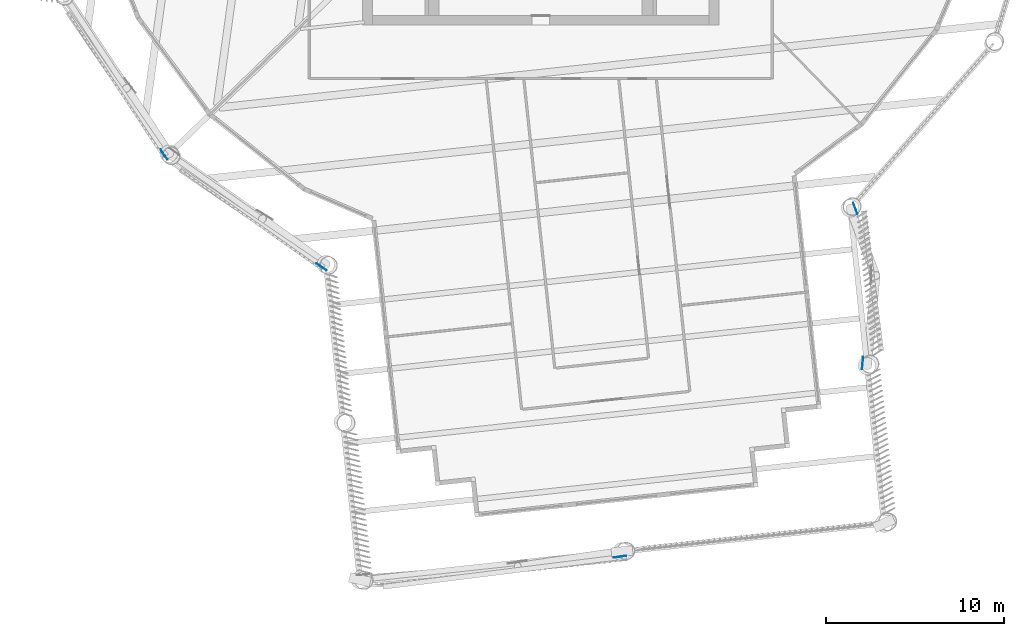
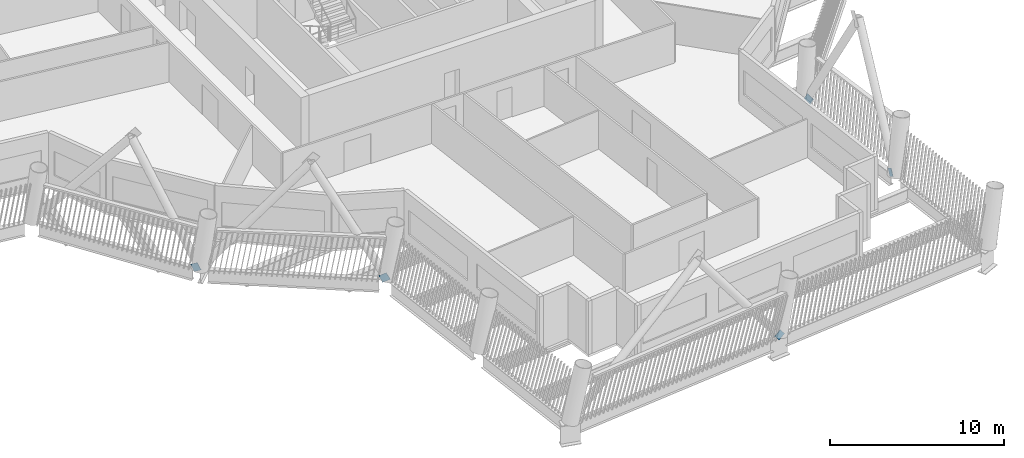
# One storey, part 11 of 21: 5 discrete accessories.
"""IFC4 building model written with IfcOpenShell, lengths in metres."""

import ifcopenshell
import ifcopenshell.guid

model = None  # the IFC model being written
_history = None  # IfcOwnerHistory: only IFC2X3 demands one
_inside = {}  # id of a spatial element -> (the spatial element, [elements in it])
_under = {}  # id of a project, library or spatial element -> (it, [spatial elements below it])
_declared = {}  # id of a project -> (the project, [libraries it declares])
_typed = {}  # id of a type object -> (the type object, [elements of that type])
_made_of = {}  # id of a material, layer set ... -> (it, [elements and type objects made of it])


def new_model(schema):
    """Start an empty IFC model of exactly this schema.

    Asked for "IFC4X3", IfcOpenShell would pick the latest addendum, in which some entities
    have other attributes; the version numbers below select the first issue.
    IFC2X3 requires an IfcOwnerHistory on every rooted entity: one is made here for all.
    """
    global model, _history
    if schema == "IFC4X3":
        model = ifcopenshell.file(schema_version=(4, 3, 0, 0))
    else:
        model = ifcopenshell.file(schema=schema)
    _inside.clear()
    _under.clear()
    _declared.clear()
    _typed.clear()
    _made_of.clear()
    _history = None
    if model.schema == "IFC2X3":
        org = make("IfcOrganization", Name="unknown")
        user = make(
            "IfcPersonAndOrganization",
            ThePerson=make("IfcPerson", FamilyName="unknown"),
            TheOrganization=org,
        )
        app = make(
            "IfcApplication",
            ApplicationDeveloper=org,
            Version="unknown",
            ApplicationFullName="unknown",
            ApplicationIdentifier="unknown",
        )
        _history = make(
            "IfcOwnerHistory",
            OwningUser=user,
            OwningApplication=app,
            ChangeAction="ADDED",
            CreationDate=0,
        )
    return model


def make(cls, **values):
    """One entity of the class cls with the attributes given. An attribute that is None is left unset."""
    return model.create_entity(
        cls, **{name: value for name, value in values.items() if value is not None}
    )


def rooted(cls, **values):
    """An entity with a GlobalId (a new one), such as an element, a storey or a relation."""
    return make(cls, GlobalId=ifcopenshell.guid.new(), OwnerHistory=_history, **values)


def si_unit(unit_type, name, prefix=None):
    """IfcSIUnit, for example si_unit("LENGTHUNIT", "METRE", prefix="MILLI")."""
    return make("IfcSIUnit", UnitType=unit_type, Prefix=prefix, Name=name)


def assignment(units):
    """IfcUnitAssignment: the units of a project."""
    return None if units is None else make("IfcUnitAssignment", Units=units)


def point(xyz):
    """IfcCartesianPoint."""
    return None if xyz is None else make("IfcCartesianPoint", Coordinates=xyz)


def direction(xyz):
    """IfcDirection."""
    return None if xyz is None else make("IfcDirection", DirectionRatios=xyz)


def frame(location, z_axis=None, x_axis=None):
    """IfcAxis2Placement3D, a coordinate frame: its origin and axes. An axis left out is left unset."""
    return make(
        "IfcAxis2Placement3D",
        Location=point(location),
        Axis=direction(z_axis),
        RefDirection=direction(x_axis),
    )


def frame_2d(location, x_axis=None):
    """IfcAxis2Placement2D, a coordinate frame in the plane: its origin and x axis."""
    return make(
        "IfcAxis2Placement2D", Location=point(location), RefDirection=direction(x_axis)
    )


def origin():
    """The frame at (0, 0, 0) with its axes left unset."""
    return frame((0.0, 0.0, 0.0))


def origin_2d():
    """The frame at (0, 0) in the plane with its x axis left unset."""
    return frame_2d((0.0, 0.0))


def place(relative_to, where):
    """IfcLocalPlacement: puts the frame where relative to a parent placement (None: the world)."""
    return make(
        "IfcLocalPlacement", PlacementRelTo=relative_to, RelativePlacement=where
    )


def context(
    kind, dimensions, precision=None, world=None, true_north=None, identifier=None
):
    """IfcGeometricRepresentationContext, for example the 3D "Model" context."""
    return make(
        "IfcGeometricRepresentationContext",
        ContextIdentifier=identifier,
        ContextType=kind,
        CoordinateSpaceDimension=dimensions,
        Precision=precision,
        WorldCoordinateSystem=world,
        TrueNorth=true_north,
    )


def subcontext(parent, identifier, kind, view, scale=None):
    """IfcGeometricRepresentationSubContext, for example "Body" below "Model"."""
    return make(
        "IfcGeometricRepresentationSubContext",
        ContextIdentifier=identifier,
        ContextType=kind,
        ParentContext=parent,
        TargetScale=scale,
        TargetView=view,
    )


def project(units=None, contexts=None):
    """IfcProject with its units and contexts."""
    return rooted(
        "IfcProject",
        Name="project",
        RepresentationContexts=contexts,
        UnitsInContext=assignment(units),
    )


def spatial(cls, under=None, at=None, **own):
    """A site, building, storey or space (cls), placed at a placement, below another one or the project."""
    s = rooted(cls, ObjectPlacement=at, **own)
    if under is not None:
        _under.setdefault(under.id(), (under, []))[1].append(s)
    return s


def profile(cls, at=None, kind="AREA", **sizes):
    """A parametric profile (cls). Its sizes go by their IFC names, for example OverallWidth=200.0."""
    return make(cls, ProfileType=kind, Position=at, **sizes)


def rectangle(**sizes):
    """IfcRectangleProfileDef."""
    return profile("IfcRectangleProfileDef", **sizes)


def extrude(swept, where, along, depth):
    """IfcExtrudedAreaSolid: the profile swept, set in the frame where, extruded along a direction by depth."""
    return make(
        "IfcExtrudedAreaSolid",
        SweptArea=swept,
        Position=where,
        ExtrudedDirection=direction(along),
        Depth=depth,
    )


def shape(context_of_items, identifier, shape_type, items):
    """IfcShapeRepresentation: the items that make up one representation, for example the "Body"."""
    return make(
        "IfcShapeRepresentation",
        ContextOfItems=context_of_items,
        RepresentationIdentifier=identifier,
        RepresentationType=shape_type,
        Items=items,
    )


def material(Name=None, Category=None):
    """IfcMaterial."""
    return make("IfcMaterial", Name=Name, Category=Category)


def material_profile(
    of_material, cross_section, Name=None, Category=None, Priority=None
):
    """IfcMaterialProfile: a cross section and its material."""
    return make(
        "IfcMaterialProfile",
        Name=Name,
        Material=of_material,
        Profile=cross_section,
        Priority=Priority,
        Category=Category,
    )


def profile_set(profiles, Name=None, composite=None):
    """IfcMaterialProfileSet."""
    return make(
        "IfcMaterialProfileSet",
        Name=Name,
        MaterialProfiles=profiles,
        CompositeProfile=composite,
    )


def made_of(thing, what):
    """Note that an element or type object is made of a material, layer set ...; save() writes the relation."""
    if what is not None:
        _made_of.setdefault(what.id(), (what, []))[1].append(thing)
    return thing


def type_object(cls, material=None, **own):
    """A type object (cls), such as IfcWallType, which elements share."""
    return made_of(rooted(cls, **own), material)


def element(
    cls,
    number,
    at=None,
    inside=None,
    cuts=None,
    type_object=None,
    material=None,
    context=None,
    identifier="Body",
    shape_type=None,
    held_by="IfcProductDefinitionShape",
    body=None,
    shapes=None,
    **own,
):
    """One element of the class cls, such as IfcWall. Its Tag is "e" and its number.

    at: its placement. inside: the storey or other place that contains it. cuts: it is an
    opening in that element (IfcRelVoidsElement). A single representation is given by context,
    identifier, shape_type and body (its items); several are given by shapes. held_by: the class
    of the entity that holds the representations. save() writes the other relations.
    """
    e = rooted(cls, Tag="e%d" % number, ObjectPlacement=at, **own)
    if body is not None:
        shapes = [shape(context, identifier, shape_type, body)]
    if shapes is not None:
        e.Representation = make(held_by, Representations=shapes)
    if inside is not None:
        _inside.setdefault(inside.id(), (inside, []))[1].append(e)
    if cuts is not None:
        rooted(
            "IfcRelVoidsElement", RelatingBuildingElement=cuts, RelatedOpeningElement=e
        )
    if type_object is not None:
        _typed.setdefault(type_object.id(), (type_object, []))[1].append(e)
    return made_of(e, material)


def aggregate(whole, parts):
    """IfcRelAggregates: a whole, such as a stair, and the parts it consists of."""
    return rooted("IfcRelAggregates", RelatingObject=whole, RelatedObjects=parts)


def save(model, path):
    """Write the relations noted so far, then the file.

    IfcRelAggregates (storeys below a building ...), IfcRelContainedInSpatialStructure (elements
    in a storey), IfcRelDefinesByType, IfcRelAssociatesMaterial and IfcRelDeclares: one each for
    every whole, place, type object, material and project.
    """
    for whole, parts in _under.values():
        aggregate(whole, parts)
    for where, things in _inside.values():
        rooted(
            "IfcRelContainedInSpatialStructure",
            RelatedElements=things,
            RelatingStructure=where,
        )
    for kind, things in _typed.values():
        rooted("IfcRelDefinesByType", RelatedObjects=things, RelatingType=kind)
    for what, things in _made_of.values():
        rooted("IfcRelAssociatesMaterial", RelatedObjects=things, RelatingMaterial=what)
    for by, libraries in _declared.values():
        rooted("IfcRelDeclares", RelatingContext=by, RelatedDefinitions=libraries)
    model.write(path)


model = new_model("IFC4")

# Units and contexts
model_context = context("Model", 3, precision=1e-05, world=origin(), true_north=direction((0.0, 1.0)))
body_context = subcontext(model_context, "Body", "Model", "MODEL_VIEW")
ifc_project = project(units=[si_unit("LENGTHUNIT", "METRE"), si_unit("AREAUNIT", "SQUARE_METRE"), si_unit("VOLUMEUNIT", "CUBIC_METRE"), si_unit("PLANEANGLEUNIT", "RADIAN"), si_unit("MASSUNIT", "GRAM", prefix="KILO")], contexts=[model_context])

# Site, building, storey
site_placement = place(None, origin())
site = spatial("IfcSite", under=ifc_project, at=site_placement, CompositionType="ELEMENT")
building_placement = place(site_placement, origin())
building = spatial("IfcBuilding", under=site, at=building_placement, Name="Tarsis Ring Headquarters", CompositionType="ELEMENT")
storey_placement = place(building_placement, frame((0.0, 0.0, 255.199951171875)))
storey = spatial("IfcBuildingStorey", under=building, at=storey_placement, Name="L59", CompositionType="ELEMENT", Elevation=255.199951171875)

# Discrete accessories
ifc_material = material(Name="Structural steel S355", Category="steel")
ifc_material_profile = material_profile(ifc_material, rectangle(XDim=0.02490234375, YDim=0.5, at=origin_2d()), Name="PL 25x500")
ifc_profile_set = profile_set([ifc_material_profile], Name="Structural steel S355")
discrete_accessory_type = type_object("IfcDiscreteAccessoryType", Name="Gusset plate Exo brace 25", PredefinedType="BRACKET", material=ifc_profile_set)
for number, where, z_axis, x_axis, name in (
    (1, (-12.205322265625, -26.648193359375, 0.0), (-0.399369598574, 0.284636278691, 0.871485004224), (-0.580390337973, -0.814338415886, 0.0), "Gusset plate GP5"),
    (2, (4.601806640625, -42.81982421875, 0.0), (-0.597131381496, -0.087885240122, 0.797314428441), (0.145610433996, -0.98934200432, 0.0), "Gusset plate GP5"),
    (3, (18.064208984375, -32.1015625, 0.0), (0.051763039292, 0.544000243124, 0.837486909297), (-0.995503501648, 0.094724749708, 0.0), "Gusset plate GP5"),
):
    element("IfcDiscreteAccessory", number, at=place(storey_placement, frame(where, z_axis=z_axis, x_axis=x_axis)), inside=storey, type_object=discrete_accessory_type, Name=name, PredefinedType="BRACKET", context=body_context, shape_type="SweptSolid", body=[
        extrude(rectangle(XDim=0.02490234375, YDim=0.5, at=origin_2d()), origin(), (0.0, 0.0, 1.0), 0.5),
    ])
discrete_accessory_1_placement = place(storey_placement, frame((17.629638671875, -23.180908203125, 0.0), z_axis=(0.163045805912, -0.431046247367, 0.887476871702), x_axis=(0.935324155227, 0.353791922815, 0.0)))
element("IfcDiscreteAccessory", 4, at=discrete_accessory_1_placement, inside=storey, type_object=discrete_accessory_type, Name="Gusset plate GP5", PredefinedType="BRACKET", context=body_context, shape_type="SweptSolid", body=[
    extrude(rectangle(XDim=0.02490234375, YDim=0.5, at=origin_2d()), origin(), (0.0, 0.0, 1.0), 0.500244140625),
])
discrete_accessory_2_placement = place(storey_placement, frame((-21.076416015625, -20.368408203125, 0.0), z_axis=(-0.268554015204, 0.410155223221, 0.871579849344), x_axis=(-0.836618528628, -0.547785941364, 0.0)))
element("IfcDiscreteAccessory", 5, at=discrete_accessory_2_placement, inside=storey, type_object=discrete_accessory_type, Name="Gusset plate GP5", PredefinedType="BRACKET", context=body_context, shape_type="SweptSolid", body=[
    extrude(rectangle(XDim=0.02490234375, YDim=0.5, at=origin_2d()), origin(), (0.0, 0.0, 1.0), 0.5),
])

save(model, "model.ifc")
